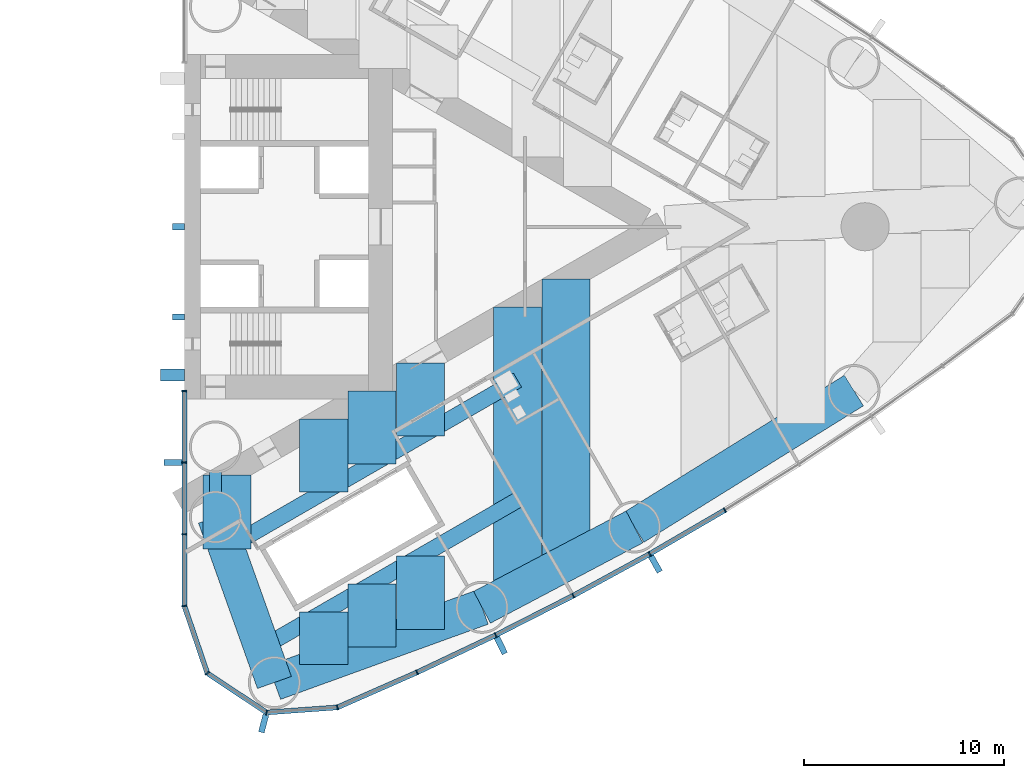
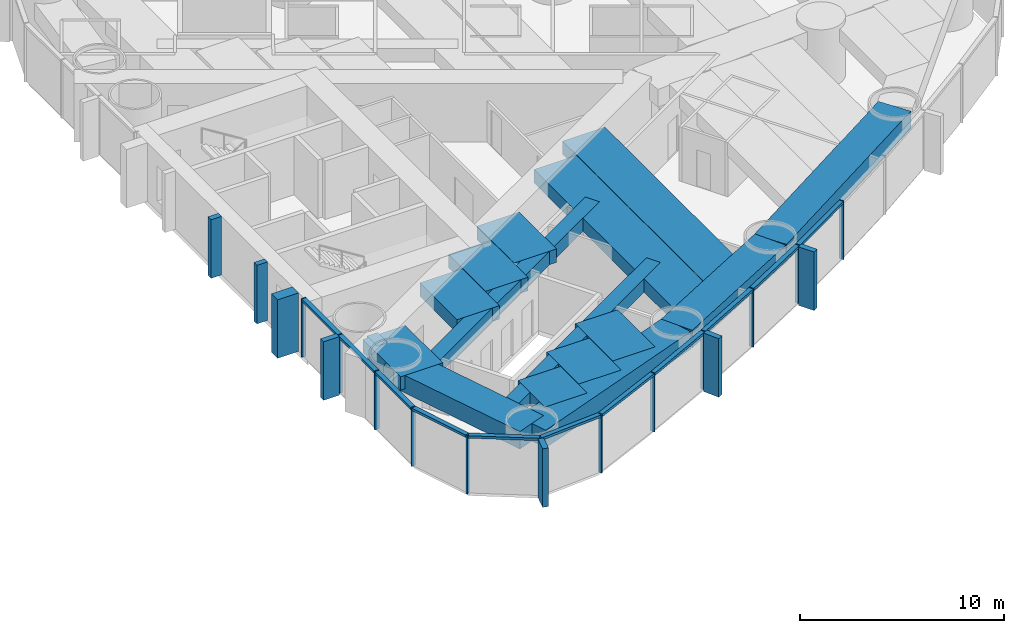
# One storey, part 6 of 18: 30 members, 16 beams, 1 element without a shape of its own.
"""IFC4 building model written with IfcOpenShell, lengths in metres."""

from ifc_helpers import new_model, si_unit, direction, frame, origin, origin_2d, place, context, subcontext, project, spatial, rectangle, hollow_rectangle, extrude, material, material_profile, profile_set, type_object, element, aggregate, save


model = new_model("IFC4")

# Units and contexts
model_context = context("Model", 3, precision=1e-05, world=origin(), true_north=direction((0.0, 1.0)))
body_context = subcontext(model_context, "Body", "Model", "MODEL_VIEW")
ifc_project = project(units=[si_unit("LENGTHUNIT", "METRE"), si_unit("AREAUNIT", "SQUARE_METRE"), si_unit("VOLUMEUNIT", "CUBIC_METRE"), si_unit("PLANEANGLEUNIT", "RADIAN"), si_unit("MASSUNIT", "GRAM", prefix="KILO")], contexts=[model_context])

# Site, building, storey
site_placement = place(None, origin())
site = spatial("IfcSite", under=ifc_project, at=site_placement, CompositionType="ELEMENT")
building_placement = place(site_placement, origin())
building = spatial("IfcBuilding", under=site, at=building_placement, Name="Lancet Gate Hotel", CompositionType="ELEMENT")
storey_placement = place(building_placement, frame((0.0, 0.0, 118.60009765625)))
storey = spatial("IfcBuildingStorey", under=building, at=storey_placement, Name="L31", CompositionType="ELEMENT", Elevation=118.60009765625)

# Curtain wall, members
ifc_material_1 = material(Name="Aluminium curtain wall", Category="aluminium")
curtain_wall_type = type_object("IfcCurtainWallType", Name="Tower unitised curtain wall", PredefinedType="USERDEFINED", material=ifc_material_1)
curtain_wall_placement = place(storey_placement, origin())
curtain_wall = element("IfcCurtainWall", 1, at=curtain_wall_placement, inside=storey, type_object=curtain_wall_type, Name="T2 L31 curtain wall 1", ObjectType="UNITISED CURTAIN WALL", PredefinedType="USERDEFINED")
ifc_material_2 = material(Name="Aluminium mullion", Category="aluminium")
ifc_material_profile_1 = material_profile(ifc_material_2, rectangle(XDim=0.06494140625, YDim=0.25, at=origin_2d()), Name="MULLION 65x250")
ifc_profile_set_1 = profile_set([ifc_material_profile_1], Name="Aluminium mullion")
member_type_1 = type_object("IfcMemberType", Name="Aluminium mullion 65x250", PredefinedType="MULLION", material=ifc_profile_set_1)
member_1_placement = place(storey_placement, frame((27.5, -8.199951171875, 0.0), z_axis=(0.0, 0.0, 1.0), x_axis=(0.0, -1.0, 0.0)))
member_1 = element("IfcMember", 2, at=member_1_placement, type_object=member_type_1, Name="T2 L31 curtain wall 1 mullion 1", PredefinedType="MULLION", context=body_context, shape_type="SweptSolid", body=[
    extrude(rectangle(XDim=0.06494140625, YDim=0.25, at=origin_2d()), origin(), (0.0, 0.0, 1.0), 3.5),
])
member_2_placement = place(storey_placement, frame((27.5, -11.781005859375, 0.0), z_axis=(0.0, 0.0, 1.0), x_axis=(0.0, -1.0, 0.0)))
member_2 = element("IfcMember", 3, at=member_2_placement, type_object=member_type_1, Name="T2 L31 curtain wall 1 mullion 2", PredefinedType="MULLION", context=body_context, shape_type="SweptSolid", body=[
    extrude(rectangle(XDim=0.06494140625, YDim=0.25, at=origin_2d()), origin(), (0.0, 0.0, 1.0), 3.5),
])
member_3_placement = place(storey_placement, frame((27.5, -15.362060546875, 0.0), z_axis=(0.0, 0.0, 1.0), x_axis=(0.0, -1.0, 0.0)))
member_3 = element("IfcMember", 4, at=member_3_placement, type_object=member_type_1, Name="T2 L31 curtain wall 1 mullion 3", PredefinedType="MULLION", context=body_context, shape_type="SweptSolid", body=[
    extrude(rectangle(XDim=0.06494140625, YDim=0.25, at=origin_2d()), origin(), (0.0, 0.0, 1.0), 3.5),
])
member_4_placement = place(storey_placement, frame((27.5, -18.94287109375, 0.0), z_axis=(0.0, 0.0, 1.0), x_axis=(0.162738742557, -0.986669195663, 0.0)))
member_4 = element("IfcMember", 5, at=member_4_placement, type_object=member_type_1, Name="T2 L31 curtain wall 1 mullion 4", PredefinedType="MULLION", context=body_context, shape_type="SweptSolid", body=[
    extrude(rectangle(XDim=0.06494140625, YDim=0.25, at=origin_2d()), origin(), (0.0, 0.0, 1.0), 3.5),
])
member_5_placement = place(storey_placement, frame((28.64453125, -22.301513671875, 0.0), z_axis=(0.0, 0.0, 1.0), x_axis=(0.610663954798, -0.79188984986, 0.0)))
member_5 = element("IfcMember", 6, at=member_5_placement, type_object=member_type_1, Name="T2 L31 curtain wall 1 mullion 5", PredefinedType="MULLION", context=body_context, shape_type="SweptSolid", body=[
    extrude(rectangle(XDim=0.06494140625, YDim=0.25, at=origin_2d()), origin(), (0.0, 0.0, 1.0), 3.5),
])
member_6_placement = place(storey_placement, frame((31.60205078125, -24.26220703125, 0.0), z_axis=(0.0, 0.0, 1.0), x_axis=(0.967157174963, -0.254179068604, 0.0)))
member_6 = element("IfcMember", 7, at=member_6_placement, type_object=member_type_1, Name="T2 L31 curtain wall 1 mullion 6", PredefinedType="MULLION", context=body_context, shape_type="SweptSolid", body=[
    extrude(rectangle(XDim=0.06494140625, YDim=0.25, at=origin_2d()), origin(), (0.0, 0.0, 1.0), 3.5),
])
member_7_placement = place(storey_placement, frame((35.141357421875, -24.009033203125, 0.0), z_axis=(0.0, 0.0, 1.0), x_axis=(0.966317378791, 0.257353304711, 0.0)))
member_7 = element("IfcMember", 8, at=member_7_placement, type_object=member_type_1, Name="T2 L31 curtain wall 1 mullion 7", PredefinedType="MULLION", context=body_context, shape_type="SweptSolid", body=[
    extrude(rectangle(XDim=0.06494140625, YDim=0.25, at=origin_2d()), origin(), (0.0, 0.0, 1.0), 3.5),
])
member_8_placement = place(storey_placement, frame((39.12109375, -22.259765625, 0.0), z_axis=(0.0, 0.0, 1.0), x_axis=(0.909672766767, 0.415325724465, 0.0)))
member_8 = element("IfcMember", 9, at=member_8_placement, type_object=member_type_1, Name="T2 L31 curtain wall 1 mullion 8", PredefinedType="MULLION", context=body_context, shape_type="SweptSolid", body=[
    extrude(rectangle(XDim=0.06494140625, YDim=0.25, at=origin_2d()), origin(), (0.0, 0.0, 1.0), 3.5),
])
member_9_placement = place(storey_placement, frame((43.0498046875, -20.398193359375, 0.0), z_axis=(0.0, 0.0, 1.0), x_axis=(0.897511886496, 0.440990264743, 0.0)))
member_9 = element("IfcMember", 10, at=member_9_placement, type_object=member_type_1, Name="T2 L31 curtain wall 1 mullion 9", PredefinedType="MULLION", context=body_context, shape_type="SweptSolid", body=[
    extrude(rectangle(XDim=0.06494140625, YDim=0.25, at=origin_2d()), origin(), (0.0, 0.0, 1.0), 3.5),
])
member_10_placement = place(storey_placement, frame((46.923828125, -18.426025390625, 0.0), z_axis=(0.0, 0.0, 1.0), x_axis=(0.884627112962, 0.466299121822, 0.0)))
member_10 = element("IfcMember", 11, at=member_10_placement, type_object=member_type_1, Name="T2 L31 curtain wall 1 mullion 10", PredefinedType="MULLION", context=body_context, shape_type="SweptSolid", body=[
    extrude(rectangle(XDim=0.06494140625, YDim=0.25, at=origin_2d()), origin(), (0.0, 0.0, 1.0), 3.5),
])
member_11_placement = place(storey_placement, frame((50.740478515625, -16.344482421875, 0.0), z_axis=(0.0, 0.0, 1.0), x_axis=(0.871028838445, 0.491231882716, 0.0)))
member_11 = element("IfcMember", 12, at=member_11_placement, type_object=member_type_1, Name="T2 L31 curtain wall 1 mullion 11", PredefinedType="MULLION", context=body_context, shape_type="SweptSolid", body=[
    extrude(rectangle(XDim=0.06494140625, YDim=0.25, at=origin_2d()), origin(), (0.0, 0.0, 1.0), 3.5),
])
member_12_placement = place(storey_placement, frame((54.496337890625, -14.1552734375, 0.0), z_axis=(0.0, 0.0, 1.0), x_axis=(0.856728030701, 0.515768437781, 0.0)))
member_12 = element("IfcMember", 13, at=member_12_placement, type_object=member_type_1, Name="T2 L31 curtain wall 1 mullion 12", PredefinedType="MULLION", context=body_context, shape_type="SweptSolid", body=[
    extrude(rectangle(XDim=0.06494140625, YDim=0.25, at=origin_2d()), origin(), (0.0, 0.0, 1.0), 3.5),
])
ifc_material_3 = material(Name="Aluminium transom", Category="aluminium")
ifc_material_profile_2 = material_profile(ifc_material_3, rectangle(XDim=0.25, YDim=0.14990234375, at=origin_2d()), Name="TRANSOM 250x150")
ifc_profile_set_2 = profile_set([ifc_material_profile_2], Name="Aluminium transom")
member_type_2 = type_object("IfcMemberType", Name="Aluminium transom 250x150", PredefinedType="USERDEFINED", material=ifc_profile_set_2)
member_13_placement = place(storey_placement, frame((27.5, -8.232421875, 3.4248046875), z_axis=(0.0, -1.0, 0.0), x_axis=(1.0, 0.0, 0.0)))
member_13 = element("IfcMember", 14, at=member_13_placement, type_object=member_type_2, Name="T2 L31 curtain wall 1 transom 1", ObjectType="TRANSOM", PredefinedType="USERDEFINED", context=body_context, shape_type="SweptSolid", body=[
    extrude(rectangle(XDim=0.25, YDim=0.14990234375, at=origin_2d()), origin(), (0.0, 0.0, 1.0), 3.51611328125),
])
member_14_placement = place(storey_placement, frame((27.5, -11.8134765625, 3.4248046875), z_axis=(0.0, -1.0, 0.0), x_axis=(1.0, 0.0, 0.0)))
member_14 = element("IfcMember", 15, at=member_14_placement, type_object=member_type_2, Name="T2 L31 curtain wall 1 transom 2", ObjectType="TRANSOM", PredefinedType="USERDEFINED", context=body_context, shape_type="SweptSolid", body=[
    extrude(rectangle(XDim=0.25, YDim=0.14990234375, at=origin_2d()), origin(), (0.0, 0.0, 1.0), 3.515869140625),
])
member_15_placement = place(storey_placement, frame((27.5, -15.39453125, 3.4248046875), z_axis=(0.0, -1.0, 0.0), x_axis=(1.0, 0.0, 0.0)))
member_15 = element("IfcMember", 16, at=member_15_placement, type_object=member_type_2, Name="T2 L31 curtain wall 1 transom 3", ObjectType="TRANSOM", PredefinedType="USERDEFINED", context=body_context, shape_type="SweptSolid", body=[
    extrude(rectangle(XDim=0.25, YDim=0.14990234375, at=origin_2d()), origin(), (0.0, 0.0, 1.0), 3.515869140625),
])
member_16_placement = place(storey_placement, frame((27.510498046875, -18.9736328125, 3.4248046875), z_axis=(0.322549769135, -0.946552505903, 0.0), x_axis=(0.946552505903, 0.322549769135, 0.0)))
member_16 = element("IfcMember", 17, at=member_16_placement, type_object=member_type_2, Name="T2 L31 curtain wall 1 transom 4", ObjectType="TRANSOM", PredefinedType="USERDEFINED", context=body_context, shape_type="SweptSolid", body=[
    extrude(rectangle(XDim=0.25, YDim=0.14990234375, at=origin_2d()), origin(), (0.0, 0.0, 1.0), 3.4833984375),
])
member_17_placement = place(storey_placement, frame((28.671630859375, -22.319580078125, 3.4248046875), z_axis=(0.833470854141, -0.552563421968, 0.0), x_axis=(0.552563421968, 0.833470854141, 0.0)))
member_17 = element("IfcMember", 18, at=member_17_placement, type_object=member_type_2, Name="T2 L31 curtain wall 1 transom 5", ObjectType="TRANSOM", PredefinedType="USERDEFINED", context=body_context, shape_type="SweptSolid", body=[
    extrude(rectangle(XDim=0.25, YDim=0.14990234375, at=origin_2d()), origin(), (0.0, 0.0, 1.0), 3.4833984375),
])
member_18_placement = place(storey_placement, frame((31.634521484375, -24.260009765625, 3.4248046875), z_axis=(0.997446232115, 0.071421383636, 0.0), x_axis=(-0.071421383636, 0.997446232115, 0.0)))
member_18 = element("IfcMember", 19, at=member_18_placement, type_object=member_type_2, Name="T2 L31 curtain wall 1 transom 6", ObjectType="TRANSOM", PredefinedType="USERDEFINED", context=body_context, shape_type="SweptSolid", body=[
    extrude(rectangle(XDim=0.25, YDim=0.14990234375, at=origin_2d()), origin(), (0.0, 0.0, 1.0), 3.483154296875),
])
member_19_placement = place(storey_placement, frame((35.171142578125, -23.995849609375, 3.4248046875), z_axis=(0.915484772266, 0.402352621155, 0.0), x_axis=(-0.402352621155, 0.915484772266, 0.0)))
member_19 = element("IfcMember", 20, at=member_19_placement, type_object=member_type_2, Name="T2 L31 curtain wall 1 transom 7", ObjectType="TRANSOM", PredefinedType="USERDEFINED", context=body_context, shape_type="SweptSolid", body=[
    extrude(rectangle(XDim=0.25, YDim=0.14990234375, at=origin_2d()), origin(), (0.0, 0.0, 1.0), 4.281982421875),
])
member_20_placement = place(storey_placement, frame((39.150634765625, -22.245849609375, 3.4248046875), z_axis=(0.903679787814, 0.428208875546, 0.0), x_axis=(-0.428208875546, 0.903679787814, 0.0)))
member_20 = element("IfcMember", 21, at=member_20_placement, type_object=member_type_2, Name="T2 L31 curtain wall 1 transom 8", ObjectType="TRANSOM", PredefinedType="USERDEFINED", context=body_context, shape_type="SweptSolid", body=[
    extrude(rectangle(XDim=0.25, YDim=0.14990234375, at=origin_2d()), origin(), (0.0, 0.0, 1.0), 4.282470703125),
])
member_21_placement = place(storey_placement, frame((43.07861328125, -20.383544921875, 3.4248046875), z_axis=(0.891165630033, 0.453678101574, 0.0), x_axis=(-0.453678101574, 0.891165630033, 0.0)))
member_21 = element("IfcMember", 22, at=member_21_placement, type_object=member_type_2, Name="T2 L31 curtain wall 1 transom 9", ObjectType="TRANSOM", PredefinedType="USERDEFINED", context=body_context, shape_type="SweptSolid", body=[
    extrude(rectangle(XDim=0.25, YDim=0.14990234375, at=origin_2d()), origin(), (0.0, 0.0, 1.0), 4.282470703125),
])
member_22_placement = place(storey_placement, frame((46.952392578125, -18.410400390625, 3.4248046875), z_axis=(0.877906466435, 0.478832158685, 0.0), x_axis=(-0.478832158685, 0.877906466435, 0.0)))
member_22 = element("IfcMember", 23, at=member_22_placement, type_object=member_type_2, Name="T2 L31 curtain wall 1 transom 10", ObjectType="TRANSOM", PredefinedType="USERDEFINED", context=body_context, shape_type="SweptSolid", body=[
    extrude(rectangle(XDim=0.25, YDim=0.14990234375, at=origin_2d()), origin(), (0.0, 0.0, 1.0), 4.282470703125),
])
member_23_placement = place(storey_placement, frame((50.7685546875, -16.327880859375, 3.4248046875), z_axis=(0.863973212152, 0.503537772847, 0.0), x_axis=(-0.503537772847, 0.863973212152, 0.0)))
member_23 = element("IfcMember", 24, at=member_23_placement, type_object=member_type_2, Name="T2 L31 curtain wall 1 transom 11", ObjectType="TRANSOM", PredefinedType="USERDEFINED", context=body_context, shape_type="SweptSolid", body=[
    extrude(rectangle(XDim=0.25, YDim=0.14990234375, at=origin_2d()), origin(), (0.0, 0.0, 1.0), 4.2822265625),
])

# Beams
ifc_material_4 = material(Name="Concrete C50/60", Category="concrete")
ifc_material_profile_3 = material_profile(ifc_material_4, rectangle(XDim=1.800048828125, YDim=1.050048828125, at=origin_2d()), Name="RC 1800x1050")
ifc_profile_set_3 = profile_set([ifc_material_profile_3], Name="Concrete C50/60")
beam_type_1 = type_object("IfcBeamType", Name="Edge beam RC 1800x1050", PredefinedType="SPANDREL", material=ifc_profile_set_3)
beam_1_placement = place(storey_placement, frame((31.99609375, -22.76318359375, 2.724853515625), z_axis=(0.940225039526, 0.340553777029, 0.0), x_axis=(-0.340553777029, 0.940225039526, 0.0)))
element("IfcBeam", 25, at=beam_1_placement, inside=storey, type_object=beam_type_1, Name="T2 edge beam EB1 L31", PredefinedType="SPANDREL", context=body_context, shape_type="SweptSolid", body=[
    extrude(rectangle(XDim=1.800048828125, YDim=1.050048828125, at=origin_2d()), origin(), (0.0, 0.0, 1.0), 11.029296875),
])
beam_2_placement = place(storey_placement, frame((42.3662109375, -19.007080078125, 2.724853515625), z_axis=(0.884632510133, 0.466288882578, 0.0), x_axis=(-0.466288882578, 0.884632510133, 0.0)))
element("IfcBeam", 26, at=beam_2_placement, inside=storey, type_object=beam_type_1, Name="T2 edge beam EB1 L31", PredefinedType="SPANDREL", context=body_context, shape_type="SweptSolid", body=[
    extrude(rectangle(XDim=1.800048828125, YDim=1.050048828125, at=origin_2d()), origin(), (0.0, 0.0, 1.0), 8.605712890625),
])
beam_3_placement = place(storey_placement, frame((49.97900390625, -14.994384765625, 2.724853515625), z_axis=(0.849312372751, 0.527890607505, 0.0), x_axis=(-0.527890607505, 0.849312372751, 0.0)))
element("IfcBeam", 27, at=beam_3_placement, inside=storey, type_object=beam_type_1, Name="T2 edge beam EB1 L31", PredefinedType="SPANDREL", context=body_context, shape_type="SweptSolid", body=[
    extrude(rectangle(XDim=1.800048828125, YDim=1.050048828125, at=origin_2d()), origin(), (0.0, 0.0, 1.0), 12.906494140625),
])
beam_4_placement = place(storey_placement, frame((31.99609375, -22.76318359375, 2.724853515625), z_axis=(-0.335821559388, 0.941925623523, 0.0), x_axis=(-0.941925623523, -0.335821559388, 0.0)))
element("IfcBeam", 28, at=beam_4_placement, inside=storey, type_object=beam_type_1, Name="T2 edge beam EB1 L31", PredefinedType="SPANDREL", context=body_context, shape_type="SweptSolid", body=[
    extrude(rectangle(XDim=1.800048828125, YDim=1.050048828125, at=origin_2d()), origin(), (0.0, 0.0, 1.0), 8.772705078125),
])

# Member
ifc_material_5 = material(Name="Concrete C60/75", Category="concrete")
ifc_material_profile_4 = material_profile(ifc_material_5, rectangle(XDim=0.60009765625, YDim=1.199951171875, at=origin_2d()), Name="FIN 600x1200")
ifc_profile_set_4 = profile_set([ifc_material_profile_4], Name="Concrete C60/75")
member_type_3 = type_object("IfcMemberType", Name="Exposed concrete buttress pilaster 600x1200", PredefinedType="USERDEFINED", material=ifc_profile_set_4)
member_24_placement = place(storey_placement, frame((26.909912109375, -7.39990234375, 0.0), z_axis=(0.0, 0.0, 1.0), x_axis=(0.0, 1.0, 0.0)))
element("IfcMember", 29, at=member_24_placement, inside=storey, type_object=member_type_3, Name="T2 buttress pilaster S L31", ObjectType="FIN", PredefinedType="USERDEFINED", context=body_context, shape_type="SweptSolid", body=[
    extrude(rectangle(XDim=0.60009765625, YDim=1.199951171875, at=origin_2d()), origin(), (0.0, 0.0, 1.0), 3.5),
])

ifc_material_6 = material(Name="Precast concrete C50/60", Category="concrete")
ifc_material_profile_5 = material_profile(ifc_material_6, rectangle(XDim=0.300048828125, YDim=0.89990234375, at=origin_2d()), Name="FIN 300x900")
ifc_profile_set_5 = profile_set([ifc_material_profile_5], Name="Precast concrete C50/60")
member_type_4 = type_object("IfcMemberType", Name="Exposed concrete fin 300x900", PredefinedType="USERDEFINED", material=ifc_profile_set_5)
member_25_placement = place(storey_placement, frame((26.925048828125, -11.781005859375, 0.0), z_axis=(0.0, 0.0, 1.0), x_axis=(0.0, -1.0, 0.0)))
member_25 = element("IfcMember", 30, at=member_25_placement, type_object=member_type_4, Name="T2 L31 curtain wall 1 fin 2", ObjectType="FIN", PredefinedType="USERDEFINED", context=body_context, shape_type="SweptSolid", body=[
    extrude(rectangle(XDim=0.300048828125, YDim=0.89990234375, at=origin_2d()), origin(), (0.0, 0.0, 1.0), 3.5),
])

member_26_placement = place(storey_placement, frame((31.455810546875, -24.818359375, 0.0), z_axis=(0.0, 0.0, 1.0), x_axis=(0.967157174963, -0.254179068604, 0.0)))
member_26 = element("IfcMember", 31, at=member_26_placement, type_object=member_type_4, Name="T2 L31 curtain wall 1 fin 6", ObjectType="FIN", PredefinedType="USERDEFINED", context=body_context, shape_type="SweptSolid", body=[
    extrude(rectangle(XDim=0.300048828125, YDim=0.89990234375, at=origin_2d()), origin(), (0.0, 0.0, 1.0), 3.5),
])

member_27_placement = place(storey_placement, frame((43.30322265625, -20.914306640625, 0.0), z_axis=(0.0, 0.0, 1.0), x_axis=(0.897511886496, 0.440990264743, 0.0)))
member_27 = element("IfcMember", 32, at=member_27_placement, type_object=member_type_4, Name="T2 L31 curtain wall 1 fin 9", ObjectType="FIN", PredefinedType="USERDEFINED", context=body_context, shape_type="SweptSolid", body=[
    extrude(rectangle(XDim=0.300048828125, YDim=0.89990234375, at=origin_2d()), origin(), (0.0, 0.0, 1.0), 3.5),
])

member_28_placement = place(storey_placement, frame((51.02294921875, -16.84521484375, 0.0), z_axis=(0.0, 0.0, 1.0), x_axis=(0.871028838445, 0.491231882716, 0.0)))
member_28 = element("IfcMember", 33, at=member_28_placement, type_object=member_type_4, Name="T2 L31 curtain wall 1 fin 11", ObjectType="FIN", PredefinedType="USERDEFINED", context=body_context, shape_type="SweptSolid", body=[
    extrude(rectangle(XDim=0.300048828125, YDim=0.89990234375, at=origin_2d()), origin(), (0.0, 0.0, 1.0), 3.5),
])

aggregate(curtain_wall, [member_1, member_2, member_25, member_3, member_4, member_5, member_6, member_26, member_7, member_8, member_9, member_27, member_10, member_11, member_28, member_12, member_13, member_14, member_15, member_16, member_17, member_18, member_19, member_20, member_21, member_22, member_23])

# Members
ifc_material_7 = material(Name="Concrete C60/75", Category="concrete")
ifc_material_profile_6 = material_profile(ifc_material_7, rectangle(XDim=0.300048828125, YDim=0.60009765625, at=origin_2d()), Name="FIN 300x600")
ifc_profile_set_6 = profile_set([ifc_material_profile_6], Name="Concrete C60/75")
member_type_5 = type_object("IfcMemberType", Name="Exposed concrete rib 300x600", PredefinedType="USERDEFINED", material=ifc_profile_set_6)
for number, where, z_axis, x_axis, name in (
    (34, (27.2099609375, -4.5, 0.0), (0.0, 0.0, 1.0), (0.0, 1.0, 0.0), "T2 core rib 1 L31"),
    (35, (27.2099609375, 0.0, 0.0), (0.0, 0.0, 1.0), (0.0, 1.0, 0.0), "T2 core rib 2 L31"),
):
    element("IfcMember", number, at=place(storey_placement, frame(where, z_axis=z_axis, x_axis=x_axis)), inside=storey, type_object=member_type_5, Name=name, ObjectType="FIN", PredefinedType="USERDEFINED", context=body_context, shape_type="SweptSolid", body=[
        extrude(rectangle(XDim=0.300048828125, YDim=0.60009765625, at=origin_2d()), origin(), (0.0, 0.0, 1.0), 3.5),
    ])

# Beams
ifc_material_8 = material(Name="Concrete C50/60", Category="concrete")
ifc_material_profile_7 = material_profile(ifc_material_8, rectangle(XDim=2.39990234375, YDim=0.800048828125, at=origin_2d()), Name="RC 2400x800")
ifc_profile_set_7 = profile_set([ifc_material_profile_7], Name="Concrete C50/60")
beam_type_2 = type_object("IfcBeamType", Name="Floor beam RC 2400x800", PredefinedType="BEAM", material=ifc_profile_set_7)
beam_5_placement = place(storey_placement, frame((29.6201171875, -16.099365234375, 2.849853515625), z_axis=(0.0, 1.0, 0.0), x_axis=(-1.0, 0.0, 0.0)))
element("IfcBeam", 36, at=beam_5_placement, inside=storey, type_object=beam_type_2, Name="T2 floor beam F01S L31", PredefinedType="BEAM", context=body_context, shape_type="SweptSolid", body=[
    extrude(rectangle(XDim=2.39990234375, YDim=0.800048828125, at=origin_2d()), origin(), (0.0, 0.0, 1.0), 3.69677734375),
])
beam_6_placement = place(storey_placement, frame((44.1416015625, -18.0712890625, 2.849853515625), z_axis=(0.0, 1.0, 0.0), x_axis=(-1.0, 0.0, 0.0)))
element("IfcBeam", 37, at=beam_6_placement, inside=storey, type_object=beam_type_2, Name="T2 floor beam F09S L31", PredefinedType="BEAM", context=body_context, shape_type="SweptSolid", body=[
    extrude(rectangle(XDim=2.39990234375, YDim=0.800048828125, at=origin_2d()), origin(), (0.0, 0.0, 1.0), 14.052490234375),
])
beam_7_placement = place(storey_placement, frame((46.561767578125, -16.795654296875, 2.849853515625), z_axis=(0.0, 1.0, 0.0), x_axis=(-1.0, 0.0, 0.0)))
element("IfcBeam", 38, at=beam_7_placement, inside=storey, type_object=beam_type_2, Name="T2 floor beam F11S L31", PredefinedType="BEAM", context=body_context, shape_type="SweptSolid", body=[
    extrude(rectangle(XDim=2.39990234375, YDim=0.800048828125, at=origin_2d()), origin(), (0.0, 0.0, 1.0), 14.17431640625),
])
beam_8_placement = place(storey_placement, frame((34.460693359375, -21.87060546875, 2.849853515625), z_axis=(0.0, 1.0, 0.0), x_axis=(-1.0, 0.0, 0.0)))
element("IfcBeam", 39, at=beam_8_placement, inside=storey, type_object=beam_type_2, Name="T2 floor beam F03SA L31", PredefinedType="BEAM", context=body_context, shape_type="SweptSolid", body=[
    extrude(rectangle(XDim=2.39990234375, YDim=0.800048828125, at=origin_2d()), origin(), (0.0, 0.0, 1.0), 2.62939453125),
])
beam_9_placement = place(storey_placement, frame((34.460693359375, -13.253662109375, 2.849853515625), z_axis=(0.0, 1.0, 0.0), x_axis=(-1.0, 0.0, 0.0)))
element("IfcBeam", 40, at=beam_9_placement, inside=storey, type_object=beam_type_2, Name="T2 floor beam F03SB L31", PredefinedType="BEAM", context=body_context, shape_type="SweptSolid", body=[
    extrude(rectangle(XDim=2.39990234375, YDim=0.800048828125, at=origin_2d()), origin(), (0.0, 0.0, 1.0), 3.645751953125),
])
beam_10_placement = place(storey_placement, frame((36.880859375, -20.993896484375, 2.849853515625), z_axis=(0.0, 1.0, 0.0), x_axis=(-1.0, 0.0, 0.0)))
element("IfcBeam", 41, at=beam_10_placement, inside=storey, type_object=beam_type_2, Name="T2 floor beam F05SA L31", PredefinedType="BEAM", context=body_context, shape_type="SweptSolid", body=[
    extrude(rectangle(XDim=2.39990234375, YDim=0.800048828125, at=origin_2d()), origin(), (0.0, 0.0, 1.0), 3.150146484375),
])
beam_11_placement = place(storey_placement, frame((36.880859375, -11.8564453125, 2.849853515625), z_axis=(0.0, 1.0, 0.0), x_axis=(-1.0, 0.0, 0.0)))
element("IfcBeam", 42, at=beam_11_placement, inside=storey, type_object=beam_type_2, Name="T2 floor beam F05SB L31", PredefinedType="BEAM", context=body_context, shape_type="SweptSolid", body=[
    extrude(rectangle(XDim=2.39990234375, YDim=0.800048828125, at=origin_2d()), origin(), (0.0, 0.0, 1.0), 3.645751953125),
])
beam_12_placement = place(storey_placement, frame((39.301025390625, -20.1171875, 2.849853515625), z_axis=(0.0, 1.0, 0.0), x_axis=(-1.0, 0.0, 0.0)))
element("IfcBeam", 43, at=beam_12_placement, inside=storey, type_object=beam_type_2, Name="T2 floor beam F07SA L31", PredefinedType="BEAM", context=body_context, shape_type="SweptSolid", body=[
    extrude(rectangle(XDim=2.39990234375, YDim=0.800048828125, at=origin_2d()), origin(), (0.0, 0.0, 1.0), 3.670654296875),
])
beam_13_placement = place(storey_placement, frame((39.301025390625, -10.458984375, 2.849853515625), z_axis=(0.0, 1.0, 0.0), x_axis=(-1.0, 0.0, 0.0)))
element("IfcBeam", 44, at=beam_13_placement, inside=storey, type_object=beam_type_2, Name="T2 floor beam F07SB L31", PredefinedType="BEAM", context=body_context, shape_type="SweptSolid", body=[
    extrude(rectangle(XDim=2.39990234375, YDim=0.800048828125, at=origin_2d()), origin(), (0.0, 0.0, 1.0), 3.6455078125),
])
ifc_material_9 = material(Name="Steel S460QL", Category="steel")
ifc_material_profile_8 = material_profile(ifc_material_9, hollow_rectangle(XDim=0.60009765625, YDim=1.5, WallThickness=0.050048828125, at=origin_2d()), Name="BOX 1500x600x50")
ifc_profile_set_8 = profile_set([ifc_material_profile_8], Name="Steel S460QL")
beam_type_3 = type_object("IfcBeamType", Name="Inner-face link beam BOX 1500x600x50", PredefinedType="BEAM", material=ifc_profile_set_8)
beam_14_placement = place(storey_placement, frame((29.050048828125, -13.25, 2.5), z_axis=(0.0, 1.0, 0.0), x_axis=(-1.0, 0.0, 0.0)))
element("IfcBeam", 45, at=beam_14_placement, inside=storey, type_object=beam_type_3, Name="T2 inner-face link beam LK1 L31", PredefinedType="BEAM", context=body_context, shape_type="SweptSolid", body=[
    extrude(hollow_rectangle(XDim=0.60009765625, YDim=1.5, WallThickness=0.050048828125, at=origin_2d()), origin(), (0.0, 0.0, 1.0), 1.0),
])
ifc_material_10 = material(Name="Steel S460QL", Category="steel")
ifc_material_profile_9 = material_profile(ifc_material_10, hollow_rectangle(XDim=0.800048828125, YDim=0.800048828125, WallThickness=0.080078125, at=origin_2d()), Name="BOX 800x800x80")
ifc_profile_set_9 = profile_set([ifc_material_profile_9], Name="Steel S460QL")
beam_type_4 = type_object("IfcBeamType", Name="Trimmer beam BOX 800x800x80", PredefinedType="BEAM", material=ifc_profile_set_9)
beam_15_placement = place(storey_placement, frame((29.6201171875, -16.048095703125, 2.849853515625), z_axis=(0.866036714307, 0.499980409089, 0.0), x_axis=(-0.499980409089, 0.866036714307, 0.0)))
element("IfcBeam", 46, at=beam_15_placement, inside=storey, type_object=beam_type_4, Name="T2 trimmer beam TR01S L31", PredefinedType="BEAM", context=body_context, shape_type="SweptSolid", body=[
    extrude(hollow_rectangle(XDim=0.800048828125, YDim=0.800048828125, WallThickness=0.080078125, at=origin_2d()), origin(), (0.0, 0.0, 1.0), 16.767822265625),
])
beam_16_placement = place(storey_placement, frame((31.375244140625, -21.0224609375, 2.849853515625), z_axis=(0.86603417384, 0.49998480951, 0.0), x_axis=(-0.49998480951, 0.86603417384, 0.0)))
element("IfcBeam", 47, at=beam_16_placement, inside=storey, type_object=beam_type_4, Name="T2 trimmer beam TR02S L31", PredefinedType="BEAM", context=body_context, shape_type="SweptSolid", body=[
    extrude(hollow_rectangle(XDim=0.800048828125, YDim=0.800048828125, WallThickness=0.080078125, at=origin_2d()), origin(), (0.0, 0.0, 1.0), 14.7412109375),
])

save(model, "model.ifc")
